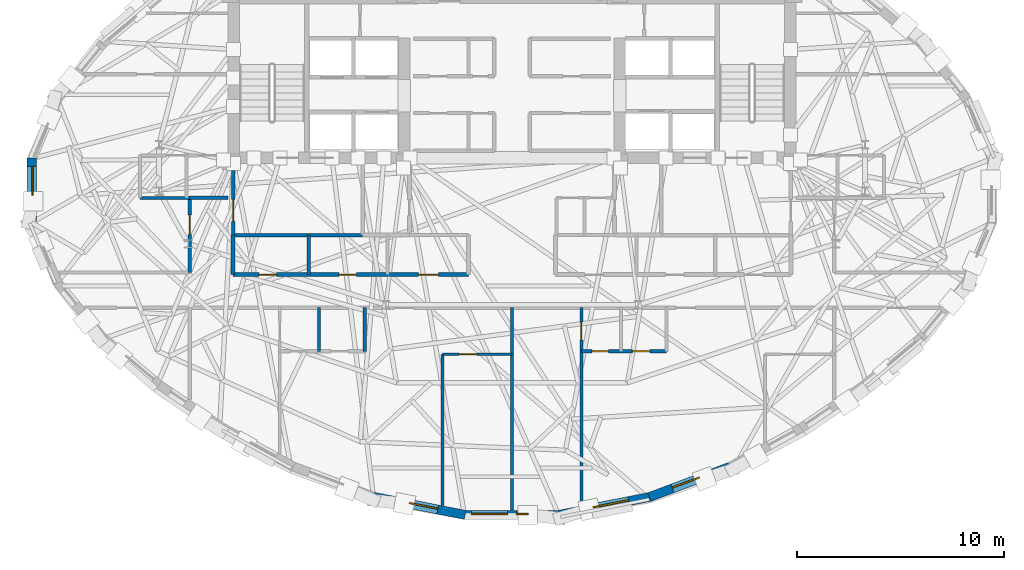
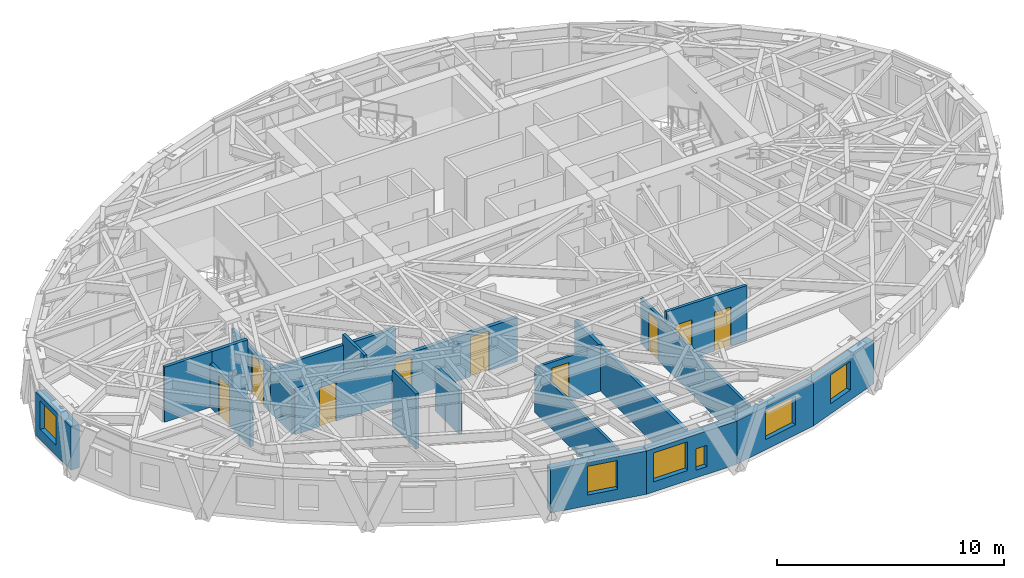
# One storey, part 6 of 14: 20 walls, 9 doors, 6 windows, 15 openings.
"""IFC4 building model written with IfcOpenShell, lengths in metres."""

from ifc_helpers import new_model, si_unit, direction, frame, frame_2d, origin, place, context, subcontext, project, spatial, rectangle, extrude, material, layer, layer_set, type_object, element, fill, save


model = new_model("IFC4")

# Units and contexts
model_context = context("Model", 3, precision=1e-05, world=origin(), true_north=direction((0.0, 1.0)))
body_context = subcontext(model_context, "Body", "Model", "MODEL_VIEW")
ifc_project = project(units=[si_unit("LENGTHUNIT", "METRE"), si_unit("AREAUNIT", "SQUARE_METRE"), si_unit("VOLUMEUNIT", "CUBIC_METRE"), si_unit("PLANEANGLEUNIT", "RADIAN"), si_unit("MASSUNIT", "GRAM", prefix="KILO")], contexts=[model_context])

# Site, building, storey
site_placement = place(None, origin())
site = spatial("IfcSite", under=ifc_project, at=site_placement, CompositionType="ELEMENT")
building_placement = place(site_placement, origin())
building = spatial("IfcBuilding", under=site, at=building_placement, Name="Keldmark Tower", CompositionType="ELEMENT")
storey_placement = place(building_placement, frame((0.0, 0.0, 216.300048828125)))
storey = spatial("IfcBuildingStorey", under=building, at=storey_placement, Name="L60", CompositionType="ELEMENT", Elevation=216.300048828125)

# Wall, openings, doors
ifc_material_1 = material(Name="Heavy Acoustic Plumbing Chase Gypsum Assembly", Category="gypsum")
ifc_layer_1 = layer(ifc_material_1, 0.18994140625)
ifc_layer_set_1 = layer_set([ifc_layer_1], Name="Heavy Acoustic Plumbing Chase Gypsum Assembly")
wall_type_1 = type_object("IfcWallType", Name="Heavy Wet Wall 190 mm", PredefinedType="PLUMBINGWALL", material=ifc_layer_set_1)
wall_1_placement = place(storey_placement, frame((-13.449951171875, -4.050048828125, 0.0), z_axis=(0.0, 0.0, 1.0), x_axis=(1.0, 0.0, 0.0)))
wall_1 = element("IfcWall", 1, at=wall_1_placement, inside=storey, type_object=wall_type_1, Name="L60 Heavy Wet Wall 190 mm SPK-W-S", PredefinedType="PLUMBINGWALL", context=body_context, shape_type="SweptSolid", body=[
    extrude(rectangle(XDim=11.349853515625, YDim=0.18994140625, at=frame_2d((5.6748046875, 0.0))), origin(), (0.0, 0.0, 1.0), 2.35693359375),
])
opening_1_placement = place(wall_1_placement, frame((1.25, 0.0, 0.0)))
opening_1 = element("IfcOpeningElement", 2, at=opening_1_placement, cuts=wall_1, Name="Opening D-WC085", PredefinedType="OPENING", context=body_context, shape_type="SweptSolid", body=[
    extrude(rectangle(XDim=0.85009765625, YDim=2.10009765625, at=frame_2d((0.425048828125, 1.050048828125))), frame((0.0, 0.10498046875, 0.0), z_axis=(0.0, -1.0, 0.0), x_axis=(1.0, 0.0, 0.0)), (0.0, 0.0, 1.0), 0.2099609375),
])
opening_2_placement = place(wall_1_placement, frame((5.10009765625, 0.0, 0.0)))
opening_2 = element("IfcOpeningElement", 3, at=opening_2_placement, cuts=wall_1, Name="Opening D-WC085", PredefinedType="OPENING", context=body_context, shape_type="SweptSolid", body=[
    extrude(rectangle(XDim=0.85009765625, YDim=2.10009765625, at=frame_2d((0.425048828125, 1.050048828125))), frame((0.0, 0.10498046875, 0.0), z_axis=(0.0, -1.0, 0.0), x_axis=(1.0, 0.0, 0.0)), (0.0, 0.0, 1.0), 0.2099609375),
])
opening_3_placement = place(wall_1_placement, frame((8.949951171875, 0.0, 0.0)))
opening_3 = element("IfcOpeningElement", 4, at=opening_3_placement, cuts=wall_1, Name="Opening D-AWC95", PredefinedType="OPENING", context=body_context, shape_type="SweptSolid", body=[
    extrude(rectangle(XDim=0.949951171875, YDim=2.14990234375, at=frame_2d((0.47509765625, 1.074951171875))), frame((0.0, 0.10498046875, 0.0), z_axis=(0.0, -1.0, 0.0), x_axis=(1.0, 0.0, 0.0)), (0.0, 0.0, 1.0), 0.2099609375),
])
ifc_material_2 = material(Name="Painted Solid-Core Architectural Wood", Category="wood")
door_type_1 = type_object("IfcDoorType", Name="Accessible WC Door 950x2150", OperationType="NOTDEFINED", PredefinedType="DOOR", material=ifc_material_2)
door_1_placement = place(opening_3_placement, origin())
door_1 = element("IfcDoor", 5, at=door_1_placement, inside=storey, type_object=door_type_1, Name="L60 Accessible WC Door 950x2150 D-SPKW3-L60", OperationType="SINGLE_SWING_LEFT", OverallHeight=2.14990234375, OverallWidth=0.949951171875, PredefinedType="DOOR", context=body_context, shape_type="SweptSolid", body=[
    extrude(rectangle(XDim=0.949951171875, YDim=2.14990234375, at=frame_2d((0.47509765625, 1.074951171875))), frame((0.0, 0.02490234375, 0.0), z_axis=(0.0, -1.0, 0.0), x_axis=(1.0, 0.0, 0.0)), (0.0, 0.0, 1.0), 0.050048828125),
])
fill(opening_3, door_1)
ifc_material_3 = material(Name="Moisture-Sealed Painted Wood", Category="wood")
door_type_2 = type_object("IfcDoorType", Name="WC Door 850x2100", OperationType="NOTDEFINED", PredefinedType="DOOR", material=ifc_material_3)
door_2_placement = place(opening_1_placement, origin())
door_2 = element("IfcDoor", 6, at=door_2_placement, inside=storey, type_object=door_type_2, Name="L60 WC Door 850x2100 D-SPKW1-L60", OperationType="SINGLE_SWING_LEFT", OverallHeight=2.10009765625, OverallWidth=0.85009765625, PredefinedType="DOOR", context=body_context, shape_type="SweptSolid", body=[
    extrude(rectangle(XDim=0.85009765625, YDim=2.10009765625, at=frame_2d((0.425048828125, 1.050048828125))), frame((0.0, 0.02490234375, 0.0), z_axis=(0.0, -1.0, 0.0), x_axis=(1.0, 0.0, 0.0)), (0.0, 0.0, 1.0), 0.050048828125),
])
fill(opening_1, door_2)
door_3_placement = place(opening_2_placement, origin())
door_3 = element("IfcDoor", 7, at=door_3_placement, inside=storey, type_object=door_type_2, Name="L60 WC Door 850x2100 D-SPKW2-L60", OperationType="SINGLE_SWING_RIGHT", OverallHeight=2.10009765625, OverallWidth=0.85009765625, PredefinedType="DOOR", context=body_context, shape_type="SweptSolid", body=[
    extrude(rectangle(XDim=0.85009765625, YDim=2.10009765625, at=frame_2d((0.425048828125, 1.050048828125))), frame((0.0, 0.02490234375, 0.0), z_axis=(0.0, -1.0, 0.0), x_axis=(1.0, 0.0, 0.0)), (0.0, 0.0, 1.0), 0.050048828125),
])
fill(opening_2, door_3)

# Walls
wall_2_placement = place(storey_placement, frame((-13.449951171875, -4.050048828125, 0.0), z_axis=(0.0, 0.0, 1.0), x_axis=(0.0, 1.0, 0.0)))
element("IfcWall", 8, at=wall_2_placement, inside=storey, type_object=wall_type_1, Name="L60 Heavy Wet Wall 190 mm SPK-W-W", PredefinedType="PLUMBINGWALL", context=body_context, shape_type="SweptSolid", body=[
    extrude(rectangle(XDim=1.900146484375, YDim=0.18994140625, at=frame_2d((0.9501953125, 0.0))), origin(), (0.0, 0.0, 1.0), 2.4228515625),
])
ifc_material_4 = material(Name="Acoustic Gypsum Board Interior Partition", Category="gypsum")
ifc_layer_2 = layer(ifc_material_4, 0.1298828125)
ifc_layer_set_2 = layer_set([ifc_layer_2], Name="Acoustic Gypsum Board Interior Partition")
wall_type_2 = type_object("IfcWallType", Name="Interior Partition 130 mm", PredefinedType="PARTITIONING", material=ifc_layer_set_2)
wall_3_placement = place(storey_placement, frame((-3.35009765625, -15.1962890625, 0.0), z_axis=(0.0, 0.0, 1.0), x_axis=(0.0, 1.0, 0.0)))
element("IfcWall", 9, at=wall_3_placement, inside=storey, type_object=wall_type_2, Name="L60 Interior Partition 130 mm UA-BR2-W", PredefinedType="PARTITIONING", context=body_context, shape_type="SweptSolid", body=[
    extrude(rectangle(XDim=7.29638671875, YDim=0.1298828125, at=frame_2d((3.648193359375, 0.0))), origin(), (0.0, 0.0, 1.0), 2.4228515625),
])

# Wall, opening, door
wall_4_placement = place(storey_placement, frame((-3.35009765625, -7.89990234375, 0.0), z_axis=(0.0, 0.0, 1.0), x_axis=(1.0, 0.0, 0.0)))
wall_4 = element("IfcWall", 10, at=wall_4_placement, inside=storey, type_object=wall_type_2, Name="L60 Interior Partition 130 mm UA-BR2-N", PredefinedType="PARTITIONING", context=body_context, shape_type="SweptSolid", body=[
    extrude(rectangle(XDim=3.35009765625, YDim=0.1298828125, at=frame_2d((1.675048828125, 0.0))), origin(), (0.0, 0.0, 1.0), 2.4228515625),
])
opening_4_placement = place(wall_4_placement, frame((0.800048828125, 0.0, 0.0)))
opening_4 = element("IfcOpeningElement", 11, at=opening_4_placement, cuts=wall_4, Name="Opening D-BR085", PredefinedType="OPENING", context=body_context, shape_type="SweptSolid", body=[
    extrude(rectangle(XDim=0.85009765625, YDim=2.10009765625, at=frame_2d((0.425048828125, 1.050048828125))), frame((0.0, 0.074951171875, 0.0), z_axis=(0.0, -1.0, 0.0), x_axis=(1.0, 0.0, 0.0)), (0.0, 0.0, 1.0), 0.14990234375),
])
ifc_material_5 = material(Name="Solid-Core Stained Walnut Wood", Category="wood")
door_type_3 = type_object("IfcDoorType", Name="Bedroom Door 850x2100", OperationType="NOTDEFINED", PredefinedType="DOOR", material=ifc_material_5)
door_4_placement = place(opening_4_placement, origin())
door_4 = element("IfcDoor", 12, at=door_4_placement, inside=storey, type_object=door_type_3, Name="L60 Bedroom Door 850x2100 D-UA-BR2-L60", OperationType="SINGLE_SWING_LEFT", OverallHeight=2.10009765625, OverallWidth=0.85009765625, PredefinedType="DOOR", context=body_context, shape_type="SweptSolid", body=[
    extrude(rectangle(XDim=0.85009765625, YDim=2.10009765625, at=frame_2d((0.425048828125, 1.050048828125))), frame((0.0, 0.02490234375, 0.0), z_axis=(0.0, -1.0, 0.0), x_axis=(1.0, 0.0, 0.0)), (0.0, 0.0, 1.0), 0.050048828125),
])
fill(opening_4, door_4)

wall_5_placement = place(storey_placement, frame((3.35009765625, -15.1962890625, 0.0), z_axis=(0.0, 0.0, 1.0), x_axis=(0.0, 1.0, 0.0)))
wall_5 = element("IfcWall", 13, at=wall_5_placement, inside=storey, type_object=wall_type_2, Name="L60 Interior Partition 130 mm UB-BR1-E", PredefinedType="PARTITIONING", context=body_context, shape_type="SweptSolid", body=[
    extrude(rectangle(XDim=9.54638671875, YDim=0.1298828125, at=frame_2d((4.773193359375, 0.0))), origin(), (0.0, 0.0, 1.0), 2.4228515625),
])
opening_5_placement = place(wall_5_placement, frame((7.996337890625, 0.0, 0.0)))
opening_5 = element("IfcOpeningElement", 14, at=opening_5_placement, cuts=wall_5, Name="Opening D-BR085", PredefinedType="OPENING", context=body_context, shape_type="SweptSolid", body=[
    extrude(rectangle(XDim=0.85009765625, YDim=2.10009765625, at=frame_2d((0.425048828125, 1.050048828125))), frame((0.0, 0.074951171875, 0.0), z_axis=(0.0, -1.0, 0.0), x_axis=(1.0, 0.0, 0.0)), (0.0, 0.0, 1.0), 0.14990234375),
])
door_5_placement = place(opening_5_placement, origin())
door_5 = element("IfcDoor", 15, at=door_5_placement, inside=storey, type_object=door_type_3, Name="L60 Bedroom Door 850x2100 D-UB-BR1-L60", OperationType="SINGLE_SWING_RIGHT", OverallHeight=2.10009765625, OverallWidth=0.85009765625, PredefinedType="DOOR", context=body_context, shape_type="SweptSolid", body=[
    extrude(rectangle(XDim=0.85009765625, YDim=2.10009765625, at=frame_2d((0.425048828125, 1.050048828125))), frame((0.0, 0.02490234375, 0.0), z_axis=(0.0, -1.0, 0.0), x_axis=(1.0, 0.0, 0.0)), (0.0, 0.0, 1.0), 0.050048828125),
])
fill(opening_5, door_5)

# Wall
ifc_material_6 = material(Name="Type X Fire-Rated Gypsum Partition Assembly", Category="gypsum")
ifc_layer_3 = layer(ifc_material_6, 0.1650390625)
ifc_layer_set_3 = layer_set([ifc_layer_3], Name="Type X Fire-Rated Gypsum Partition Assembly")
wall_type_3 = type_object("IfcWallType", Name="Rated Partition 165 mm", PredefinedType="PARTITIONING", material=ifc_layer_set_3)
wall_6_placement = place(storey_placement, frame((-13.449951171875, -2.14990234375, 0.0), z_axis=(0.0, 0.0, 1.0), x_axis=(1.0, 0.0, 0.0)))
element("IfcWall", 16, at=wall_6_placement, inside=storey, type_object=wall_type_3, Name="L60 Rated Partition 165 mm FSAE-W-S", PredefinedType="PARTITIONING", context=body_context, shape_type="SweptSolid", body=[
    extrude(rectangle(XDim=6.25, YDim=0.1650390625, at=frame_2d((3.125, 0.0))), origin(), (0.0, 0.0, 1.0), 2.4228515625),
])

# Wall, opening, door
wall_7_placement = place(storey_placement, frame((-13.449951171875, -2.14990234375, 0.0), z_axis=(0.0, 0.0, 1.0), x_axis=(0.0, 1.0, 0.0)))
wall_7 = element("IfcWall", 17, at=wall_7_placement, inside=storey, type_object=wall_type_3, Name="L60 Rated Partition 165 mm FSAE-W-W", PredefinedType="PARTITIONING", context=body_context, shape_type="SweptSolid", body=[
    extrude(rectangle(XDim=3.5, YDim=0.1650390625, at=frame_2d((1.75, 0.0))), origin(), (0.0, 0.0, 1.0), 2.4228515625),
])
opening_6_placement = place(wall_7_placement, frame((0.669921875, 0.0, 0.0)))
opening_6 = element("IfcOpeningElement", 18, at=opening_6_placement, cuts=wall_7, Name="Opening D-FL105", PredefinedType="OPENING", context=body_context, shape_type="SweptSolid", body=[
    extrude(rectangle(XDim=1.050048828125, YDim=2.14990234375, at=frame_2d((0.52490234375, 1.074951171875))), frame((0.0, 0.092529296875, 0.0), z_axis=(0.0, -1.0, 0.0), x_axis=(1.0, 0.0, 0.0)), (0.0, 0.0, 1.0), 0.18505859375),
])
ifc_material_7 = material(Name="Fire-Rated Mineral-Core Door and Vision Lite", Category="metal")
door_type_4 = type_object("IfcDoorType", Name="Fire Lobby Door 1050x2150", OperationType="NOTDEFINED", PredefinedType="DOOR", material=ifc_material_7)
door_6_placement = place(opening_6_placement, origin())
door_6 = element("IfcDoor", 19, at=door_6_placement, inside=storey, type_object=door_type_4, Name="L60 Fire Lobby Door 1050x2150 D-FSAEW-OUT-L60", OperationType="SINGLE_SWING_LEFT", OverallHeight=2.14990234375, OverallWidth=1.050048828125, PredefinedType="DOOR", context=body_context, shape_type="SweptSolid", body=[
    extrude(rectangle(XDim=1.050048828125, YDim=2.14990234375, at=frame_2d((0.52490234375, 1.074951171875))), frame((0.0, 0.02490234375, 0.0), z_axis=(0.0, -1.0, 0.0), x_axis=(1.0, 0.0, 0.0)), (0.0, 0.0, 1.0), 0.050048828125),
])
fill(opening_6, door_6)

wall_8_placement = place(storey_placement, frame((-15.550048828125, -3.949951171875, 0.0), z_axis=(0.0, 0.0, 1.0), x_axis=(0.0, 1.0, 0.0)))
wall_8 = element("IfcWall", 20, at=wall_8_placement, inside=storey, type_object=wall_type_3, Name="L60 Rated Partition 165 mm RCOR-VW", PredefinedType="PARTITIONING", context=body_context, shape_type="SweptSolid", body=[
    extrude(rectangle(XDim=3.599853515625, YDim=0.1650390625, at=frame_2d((1.7998046875, 0.0))), origin(), (0.0, 0.0, 1.0), 2.35693359375),
])
opening_7_placement = place(wall_8_placement, frame((1.830078125, 0.0, 0.0)))
opening_7 = element("IfcOpeningElement", 21, at=opening_7_placement, cuts=wall_8, Name="Opening D-AP095", PredefinedType="OPENING", context=body_context, shape_type="SweptSolid", body=[
    extrude(rectangle(XDim=0.949951171875, YDim=2.14990234375, at=frame_2d((0.47509765625, 1.074951171875))), frame((0.0, 0.092529296875, 0.0), z_axis=(0.0, -1.0, 0.0), x_axis=(1.0, 0.0, 0.0)), (0.0, 0.0, 1.0), 0.18505859375),
])
ifc_material_8 = material(Name="Solid-Core Walnut Fire-Rated Entry Assembly", Category="wood")
door_type_5 = type_object("IfcDoorType", Name="Apartment Entry Door 950x2150", OperationType="NOTDEFINED", PredefinedType="DOOR", material=ifc_material_8)
door_7_placement = place(opening_7_placement, origin())
door_7 = element("IfcDoor", 22, at=door_7_placement, inside=storey, type_object=door_type_5, Name="L60 Apartment Entry Door 950x2150 D-UC-ENT-L60", OperationType="SINGLE_SWING_RIGHT", OverallHeight=2.14990234375, OverallWidth=0.949951171875, PredefinedType="DOOR", context=body_context, shape_type="SweptSolid", body=[
    extrude(rectangle(XDim=0.949951171875, YDim=2.14990234375, at=frame_2d((0.47509765625, 1.074951171875))), frame((0.0, 0.02490234375, 0.0), z_axis=(0.0, -1.0, 0.0), x_axis=(1.0, 0.0, 0.0)), (0.0, 0.0, 1.0), 0.050048828125),
])
fill(opening_7, door_7)

# Walls
wall_9_placement = place(storey_placement, frame((-15.550048828125, -0.35009765625, 0.0), z_axis=(0.0, 0.0, 1.0), x_axis=(1.0, 0.0, 0.0)))
element("IfcWall", 23, at=wall_9_placement, inside=storey, type_object=wall_type_3, Name="L60 Rated Partition 165 mm RCOR-VWN", PredefinedType="PARTITIONING", context=body_context, shape_type="SweptSolid", body=[
    extrude(rectangle(XDim=1.85009765625, YDim=0.1650390625, at=frame_2d((0.925048828125, 0.0))), origin(), (0.0, 0.0, 1.0), 2.969970703125),
])
wall_10_placement = place(storey_placement, frame((0.0, -15.41162109375, 0.0), z_axis=(0.0, 0.0, 1.0), x_axis=(0.0, 1.0, 0.0)))
element("IfcWall", 24, at=wall_10_placement, inside=storey, type_object=wall_type_3, Name="L60 Rated Partition 165 mm RS-DIV-1", PredefinedType="PARTITIONING", context=body_context, shape_type="SweptSolid", body=[
    extrude(rectangle(XDim=9.76171875, YDim=0.1650390625, at=frame_2d((4.880859375, 0.0))), origin(), (0.0, 0.0, 1.0), 2.4228515625),
])

# Wall, opening, window
ifc_material_9 = material(Name="Ironspot Manganese Brick and Kasota Buff Limestone Spandrel Assembly", Category="masonry")
ifc_layer_4 = layer(ifc_material_9, 0.43994140625)
ifc_layer_set_4 = layer_set([ifc_layer_4], Name="Ironspot Manganese Brick and Kasota Buff Limestone Spandrel Assembly")
wall_type_4 = type_object("IfcWallType", Name="Tower Brick Pier and Spandrel Wall 440 mm", PredefinedType="STANDARD", material=ifc_layer_set_4)
wall_11_placement = place(storey_placement, frame((-23.1640625, -1.56201171875, 0.0), z_axis=(0.0, 0.0, 1.0), x_axis=(0.0, 1.0, 0.0)))
wall_11 = element("IfcWall", 25, at=wall_11_placement, inside=storey, type_object=wall_type_4, Name="L60 Exterior Brick and Spandrel Wall 16", PredefinedType="STANDARD", context=body_context, shape_type="SweptSolid", body=[
    extrude(rectangle(XDim=3.1240234375, YDim=0.43994140625, at=frame_2d((1.56201171875, 0.0))), origin(), (0.0, 0.0, 1.0), 2.3359375),
])
opening_8_placement = place(wall_11_placement, frame((1.327880859375, 0.0, 0.550048828125)))
opening_8 = element("IfcOpeningElement", 26, at=opening_8_placement, cuts=wall_11, Name="Opening W-08", PredefinedType="OPENING", context=body_context, shape_type="SweptSolid", body=[
    extrude(rectangle(XDim=1.39990234375, YDim=1.550048828125, at=frame_2d((0.699951171875, 0.77490234375))), frame((0.0, 0.22998046875, 0.0), z_axis=(0.0, -1.0, 0.0), x_axis=(1.0, 0.0, 0.0)), (0.0, 0.0, 1.0), 0.4599609375),
])
ifc_material_10 = material(Name="Thermally Broken Anodized Aluminum and Triple Low-E Argon Glazing", Category="aluminium")
window_type_1 = type_object("IfcWindowType", Name="Residential Corner Punched Window 1400x1550", PartitioningType="SINGLE_PANEL", PredefinedType="WINDOW", material=ifc_material_10)
window_1_placement = place(opening_8_placement, origin())
window_1 = element("IfcWindow", 27, at=window_1_placement, inside=storey, type_object=window_type_1, Name="L60 Deep-Set Window 16", OverallHeight=1.550048828125, OverallWidth=1.39990234375, PartitioningType="SINGLE_PANEL", PredefinedType="WINDOW", context=body_context, shape_type="SweptSolid", body=[
    extrude(rectangle(XDim=1.39990234375, YDim=1.550048828125, at=frame_2d((0.699951171875, 0.77490234375))), frame((0.0, -0.010009765625, 0.0), z_axis=(0.0, -1.0, 0.0), x_axis=(1.0, 0.0, 0.0)), (0.0, 0.0, 1.0), 0.06005859375),
])
fill(opening_8, window_1)

wall_12_placement = place(storey_placement, frame((-2.260498046875, -15.643798828125, 0.0), z_axis=(0.0, 0.0, 1.0), x_axis=(-0.981032244947, 0.193844613996, 0.0)))
wall_12 = element("IfcWall", 28, at=wall_12_placement, inside=storey, type_object=wall_type_4, Name="L60 Exterior Brick and Spandrel Wall 23", PredefinedType="STANDARD", context=body_context, shape_type="SweptSolid", body=[
    extrude(rectangle(XDim=4.486328125, YDim=0.43994140625, at=frame_2d((2.2431640625, 0.0))), origin(), (0.0, 0.0, 1.0), 2.3359375),
])
opening_9_placement = place(wall_12_placement, frame((1.34423828125, 0.0, 0.580078125)))
opening_9 = element("IfcOpeningElement", 29, at=opening_9_placement, cuts=wall_12, Name="Opening W-08", PredefinedType="OPENING", context=body_context, shape_type="SweptSolid", body=[
    extrude(rectangle(XDim=1.39990234375, YDim=1.550048828125, at=frame_2d((0.699951171875, 0.77490234375))), frame((0.0, 0.22998046875, 0.0), z_axis=(0.0, -1.0, 0.0), x_axis=(1.0, 0.0, 0.0)), (0.0, 0.0, 1.0), 0.4599609375),
])
window_2_placement = place(opening_9_placement, origin())
window_2 = element("IfcWindow", 30, at=window_2_placement, inside=storey, type_object=window_type_1, Name="L60 Deep-Set Window 23", OverallHeight=1.550048828125, OverallWidth=1.39990234375, PartitioningType="SINGLE_PANEL", PredefinedType="WINDOW", context=body_context, shape_type="SweptSolid", body=[
    extrude(rectangle(XDim=1.39990234375, YDim=1.550048828125, at=frame_2d((0.699951171875, 0.77490234375))), frame((0.0, -0.010009765625, 0.0), z_axis=(0.0, -1.0, 0.0), x_axis=(1.0, 0.0, 0.0)), (0.0, 0.0, 1.0), 0.06005859375),
])
fill(opening_9, window_2)

# Wall, openings, windows
wall_13_placement = place(storey_placement, frame((2.302978515625, -15.6396484375, 0.0), z_axis=(0.0, 0.0, 1.0), x_axis=(-1.0, 0.0, 0.0)))
wall_13 = element("IfcWall", 31, at=wall_13_placement, inside=storey, type_object=wall_type_4, Name="L60 Exterior Brick and Spandrel Wall 24", PredefinedType="STANDARD", context=body_context, shape_type="SweptSolid", body=[
    extrude(rectangle(XDim=4.60595703125, YDim=0.43994140625, at=frame_2d((2.302978515625, 0.0))), origin(), (0.0, 0.0, 1.0), 2.3359375),
])
opening_10_placement = place(wall_13_placement, frame((2.5087890625, 0.0, 0.550048828125)))
opening_10 = element("IfcOpeningElement", 32, at=opening_10_placement, cuts=wall_13, Name="Opening W-05", PredefinedType="OPENING", context=body_context, shape_type="SweptSolid", body=[
    extrude(rectangle(XDim=1.75, YDim=1.550048828125, at=frame_2d((0.875, 0.77490234375))), frame((0.0, 0.22998046875, 0.0), z_axis=(0.0, -1.0, 0.0), x_axis=(1.0, 0.0, 0.0)), (0.0, 0.0, 1.0), 0.4599609375),
])
opening_11_placement = place(wall_13_placement, frame((1.527587890625, 0.0, 0.419921875)))
opening_11 = element("IfcOpeningElement", 33, at=opening_11_placement, cuts=wall_13, Name="Opening W-10", PredefinedType="OPENING", context=body_context, shape_type="SweptSolid", body=[
    extrude(rectangle(XDim=0.56005859375, YDim=1.14990234375, at=frame_2d((0.280029296875, 0.574951171875))), frame((0.0, 0.22998046875, 0.0), z_axis=(0.0, -1.0, 0.0), x_axis=(1.0, 0.0, 0.0)), (0.0, 0.0, 1.0), 0.4599609375),
])
ifc_material_11 = material(Name="Thermally Broken Anodized Aluminum and Triple Low-E Argon Glazing", Category="aluminium")
window_type_2 = type_object("IfcWindowType", Name="Narrow Pier Lancet Window 560x1150", PartitioningType="SINGLE_PANEL", PredefinedType="WINDOW", material=ifc_material_11)
window_3_placement = place(opening_11_placement, origin())
window_3 = element("IfcWindow", 34, at=window_3_placement, inside=storey, type_object=window_type_2, Name="L60 Pier Window RM01", OverallHeight=1.14990234375, OverallWidth=0.56005859375, PartitioningType="SINGLE_PANEL", PredefinedType="WINDOW", context=body_context, shape_type="SweptSolid", body=[
    extrude(rectangle(XDim=0.56005859375, YDim=1.14990234375, at=frame_2d((0.280029296875, 0.574951171875))), frame((0.0, -0.010009765625, 0.0), z_axis=(0.0, -1.0, 0.0), x_axis=(1.0, 0.0, 0.0)), (0.0, 0.0, 1.0), 0.06005859375),
])
fill(opening_11, window_3)
ifc_material_12 = material(Name="Thermally Broken Anodized Aluminum and Triple Low-E Argon Glazing", Category="aluminium")
window_type_3 = type_object("IfcWindowType", Name="Residential Deep-Set Window 1750x1550", PartitioningType="DOUBLE_PANEL_VERTICAL", PredefinedType="WINDOW", material=ifc_material_12)
window_4_placement = place(opening_10_placement, origin())
window_4 = element("IfcWindow", 35, at=window_4_placement, inside=storey, type_object=window_type_3, Name="L60 Deep-Set Window 24", OverallHeight=1.550048828125, OverallWidth=1.75, PartitioningType="SINGLE_PANEL", PredefinedType="WINDOW", context=body_context, shape_type="SweptSolid", body=[
    extrude(rectangle(XDim=1.75, YDim=1.550048828125, at=frame_2d((0.875, 0.77490234375))), frame((0.0, -0.010009765625, 0.0), z_axis=(0.0, -1.0, 0.0), x_axis=(1.0, 0.0, 0.0)), (0.0, 0.0, 1.0), 0.06005859375),
])
fill(opening_10, window_4)

# Wall, opening, window
wall_14_placement = place(storey_placement, frame((6.66162109375, -14.774169921875, 0.0), z_axis=(0.0, 0.0, 1.0), x_axis=(-0.981032244947, -0.193844613996, 0.0)))
wall_14 = element("IfcWall", 36, at=wall_14_placement, inside=storey, type_object=wall_type_4, Name="L60 Exterior Brick and Spandrel Wall 25", PredefinedType="STANDARD", context=body_context, shape_type="SweptSolid", body=[
    extrude(rectangle(XDim=4.486328125, YDim=0.43994140625, at=frame_2d((2.2431640625, 0.0))), origin(), (0.0, 0.0, 1.0), 2.3359375),
])
opening_12_placement = place(wall_14_placement, frame((1.045166015625, 0.0, 0.550048828125)))
opening_12 = element("IfcOpeningElement", 37, at=opening_12_placement, cuts=wall_14, Name="Opening W-05", PredefinedType="OPENING", context=body_context, shape_type="SweptSolid", body=[
    extrude(rectangle(XDim=1.75, YDim=1.550048828125, at=frame_2d((0.875, 0.77490234375))), frame((0.0, 0.22998046875, 0.0), z_axis=(0.0, -1.0, 0.0), x_axis=(1.0, 0.0, 0.0)), (0.0, 0.0, 1.0), 0.4599609375),
])
window_5_placement = place(opening_12_placement, origin())
window_5 = element("IfcWindow", 38, at=window_5_placement, inside=storey, type_object=window_type_3, Name="L60 Deep-Set Window 25", OverallHeight=1.550048828125, OverallWidth=1.75, PartitioningType="SINGLE_PANEL", PredefinedType="WINDOW", context=body_context, shape_type="SweptSolid", body=[
    extrude(rectangle(XDim=1.75, YDim=1.550048828125, at=frame_2d((0.875, 0.77490234375))), frame((0.0, -0.010009765625, 0.0), z_axis=(0.0, -1.0, 0.0), x_axis=(1.0, 0.0, 0.0)), (0.0, 0.0, 1.0), 0.06005859375),
])
fill(opening_12, window_5)

wall_15_placement = place(storey_placement, frame((10.568603515625, -13.302490234375, 0.0), z_axis=(0.0, 0.0, 1.0), x_axis=(-0.936069207768, -0.351815915314, 0.0)))
wall_15 = element("IfcWall", 39, at=wall_15_placement, inside=storey, type_object=wall_type_4, Name="L60 Exterior Brick and Spandrel Wall 26", PredefinedType="STANDARD", context=body_context, shape_type="SweptSolid", body=[
    extrude(rectangle(XDim=4.2109375, YDim=0.43994140625, at=frame_2d((2.10546875, 0.0))), origin(), (0.0, 0.0, 1.0), 2.3359375),
])
opening_13_placement = place(wall_15_placement, frame((1.626708984375, 0.0, 0.550048828125)))
opening_13 = element("IfcOpeningElement", 40, at=opening_13_placement, cuts=wall_15, Name="Opening W-08", PredefinedType="OPENING", context=body_context, shape_type="SweptSolid", body=[
    extrude(rectangle(XDim=1.39990234375, YDim=1.550048828125, at=frame_2d((0.699951171875, 0.77490234375))), frame((0.0, 0.22998046875, 0.0), z_axis=(0.0, -1.0, 0.0), x_axis=(1.0, 0.0, 0.0)), (0.0, 0.0, 1.0), 0.4599609375),
])
window_6_placement = place(opening_13_placement, origin())
window_6 = element("IfcWindow", 41, at=window_6_placement, inside=storey, type_object=window_type_1, Name="L60 Deep-Set Window 26", OverallHeight=1.550048828125, OverallWidth=1.39990234375, PartitioningType="SINGLE_PANEL", PredefinedType="WINDOW", context=body_context, shape_type="SweptSolid", body=[
    extrude(rectangle(XDim=1.39990234375, YDim=1.550048828125, at=frame_2d((0.699951171875, 0.77490234375))), frame((0.0, -0.010009765625, 0.0), z_axis=(0.0, -1.0, 0.0), x_axis=(1.0, 0.0, 0.0)), (0.0, 0.0, 1.0), 0.06005859375),
])
fill(opening_13, window_6)

# Walls
ifc_material_13 = material(Name="Moisture-Resistant Gypsum Plumbing Partition", Category="gypsum")
ifc_layer_5 = layer(ifc_material_13, 0.14990234375)
ifc_layer_set_5 = layer_set([ifc_layer_5], Name="Moisture-Resistant Gypsum Plumbing Partition")
wall_type_5 = type_object("IfcWallType", Name="Wet Wall 150 mm", PredefinedType="PLUMBINGWALL", material=ifc_layer_set_5)
wall_16_placement = place(storey_placement, frame((-9.800048828125, -4.050048828125, 0.0), z_axis=(0.0, 0.0, 1.0), x_axis=(0.0, 1.0, 0.0)))
element("IfcWall", 42, at=wall_16_placement, inside=storey, type_object=wall_type_5, Name="L60 Wet Wall 150 mm SPK-W-D1", PredefinedType="PLUMBINGWALL", context=body_context, shape_type="SweptSolid", body=[
    extrude(rectangle(XDim=1.900146484375, YDim=0.14990234375, at=frame_2d((0.9501953125, 0.0))), origin(), (0.0, 0.0, 1.0), 2.969970703125),
])
wall_17_placement = place(storey_placement, frame((-9.300048828125, -7.75, 0.0), z_axis=(0.0, 0.0, 1.0), x_axis=(0.0, 1.0, 0.0)))
element("IfcWall", 43, at=wall_17_placement, inside=storey, type_object=wall_type_5, Name="L60 Wet Wall 150 mm UA-BK-M", PredefinedType="PLUMBINGWALL", context=body_context, shape_type="SweptSolid", body=[
    extrude(rectangle(XDim=2.10009765625, YDim=0.14990234375, at=frame_2d((1.050048828125, 0.0))), origin(), (0.0, 0.0, 1.0), 2.969970703125),
])
wall_18_placement = place(storey_placement, frame((-7.10009765625, -7.75, 0.0), z_axis=(0.0, 0.0, 1.0), x_axis=(0.0, 1.0, 0.0)))
element("IfcWall", 44, at=wall_18_placement, inside=storey, type_object=wall_type_5, Name="L60 Wet Wall 150 mm UA-BK-E", PredefinedType="PLUMBINGWALL", context=body_context, shape_type="SweptSolid", body=[
    extrude(rectangle(XDim=2.10009765625, YDim=0.14990234375, at=frame_2d((1.050048828125, 0.0))), origin(), (0.0, 0.0, 1.0), 2.4228515625),
])

# Wall, openings, doors
wall_19_placement = place(storey_placement, frame((3.35009765625, -7.75, 0.0), z_axis=(0.0, 0.0, 1.0), x_axis=(1.0, 0.0, 0.0)))
wall_19 = element("IfcWall", 45, at=wall_19_placement, inside=storey, type_object=wall_type_5, Name="L60 Wet Wall 150 mm UB-BK-S", PredefinedType="PLUMBINGWALL", context=body_context, shape_type="SweptSolid", body=[
    extrude(rectangle(XDim=4.099853515625, YDim=0.14990234375, at=frame_2d((2.0498046875, 0.0))), origin(), (0.0, 0.0, 1.0), 2.969970703125),
])
opening_14_placement = place(wall_19_placement, frame((0.5, 0.0, 0.0)))
opening_14 = element("IfcOpeningElement", 46, at=opening_14_placement, cuts=wall_19, Name="Opening D-BT080", PredefinedType="OPENING", context=body_context, shape_type="SweptSolid", body=[
    extrude(rectangle(XDim=0.800048828125, YDim=2.10009765625, at=frame_2d((0.39990234375, 1.050048828125))), frame((0.0, 0.0849609375, 0.0), z_axis=(0.0, -1.0, 0.0), x_axis=(1.0, 0.0, 0.0)), (0.0, 0.0, 1.0), 0.169921875),
])
opening_15_placement = place(wall_19_placement, frame((2.449951171875, 0.0, 0.0)))
opening_15 = element("IfcOpeningElement", 47, at=opening_15_placement, cuts=wall_19, Name="Opening D-IN085", PredefinedType="OPENING", context=body_context, shape_type="SweptSolid", body=[
    extrude(rectangle(XDim=0.85009765625, YDim=2.10009765625, at=frame_2d((0.425048828125, 1.050048828125))), frame((0.0, 0.0849609375, 0.0), z_axis=(0.0, -1.0, 0.0), x_axis=(1.0, 0.0, 0.0)), (0.0, 0.0, 1.0), 0.169921875),
])
ifc_material_14 = material(Name="Moisture-Sealed Stained Wood", Category="wood")
door_type_6 = type_object("IfcDoorType", Name="Bathroom Door 800x2100", OperationType="NOTDEFINED", PredefinedType="DOOR", material=ifc_material_14)
door_8_placement = place(opening_14_placement, origin())
door_8 = element("IfcDoor", 48, at=door_8_placement, inside=storey, type_object=door_type_6, Name="L60 Bathroom Door 800x2100 D-UB-BATH-L60", OperationType="SINGLE_SWING_LEFT", OverallHeight=2.10009765625, OverallWidth=0.800048828125, PredefinedType="DOOR", context=body_context, shape_type="SweptSolid", body=[
    extrude(rectangle(XDim=0.800048828125, YDim=2.10009765625, at=frame_2d((0.39990234375, 1.050048828125))), frame((0.0, 0.02490234375, 0.0), z_axis=(0.0, -1.0, 0.0), x_axis=(1.0, 0.0, 0.0)), (0.0, 0.0, 1.0), 0.050048828125),
])
fill(opening_14, door_8)
ifc_material_15 = material(Name="Painted Architectural Wood", Category="wood")
door_type_7 = type_object("IfcDoorType", Name="Interior Door 850x2100", OperationType="NOTDEFINED", PredefinedType="DOOR", material=ifc_material_15)
door_9_placement = place(opening_15_placement, origin())
door_9 = element("IfcDoor", 49, at=door_9_placement, inside=storey, type_object=door_type_7, Name="L60 Interior Door 850x2100 D-UB-KIT-L60", OperationType="SINGLE_SWING_RIGHT", OverallHeight=2.10009765625, OverallWidth=0.85009765625, PredefinedType="DOOR", context=body_context, shape_type="SweptSolid", body=[
    extrude(rectangle(XDim=0.85009765625, YDim=2.10009765625, at=frame_2d((0.425048828125, 1.050048828125))), frame((0.0, 0.02490234375, 0.0), z_axis=(0.0, -1.0, 0.0), x_axis=(1.0, 0.0, 0.0)), (0.0, 0.0, 1.0), 0.050048828125),
])
fill(opening_15, door_9)

# Wall
wall_20_placement = place(storey_placement, frame((-17.949951171875, -0.35009765625, 0.0), z_axis=(0.0, 0.0, 1.0), x_axis=(1.0, 0.0, 0.0)))
element("IfcWall", 50, at=wall_20_placement, inside=storey, type_object=wall_type_5, Name="L60 Wet Wall 150 mm UC-BK-S", PredefinedType="PLUMBINGWALL", context=body_context, shape_type="SweptSolid", body=[
    extrude(rectangle(XDim=2.39990234375, YDim=0.14990234375, at=frame_2d((1.199951171875, 0.0))), origin(), (0.0, 0.0, 1.0), 2.969970703125),
])

save(model, "model.ifc")
